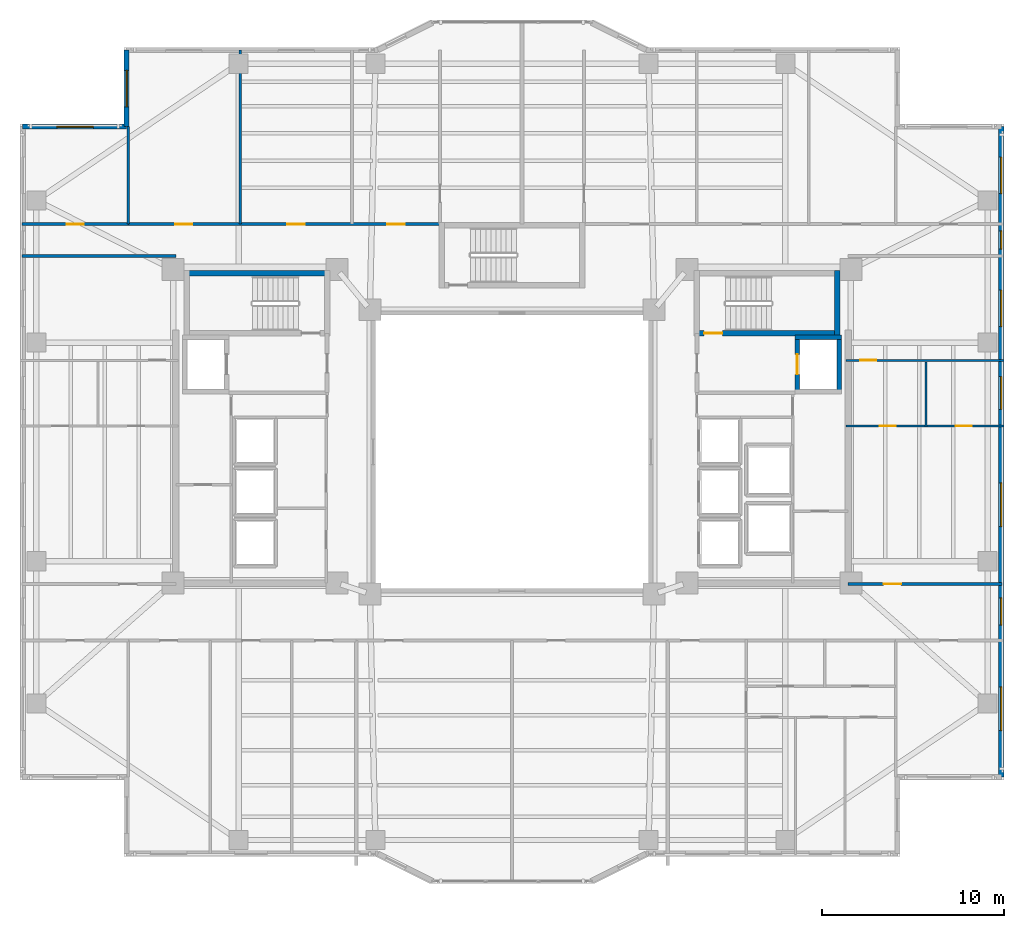
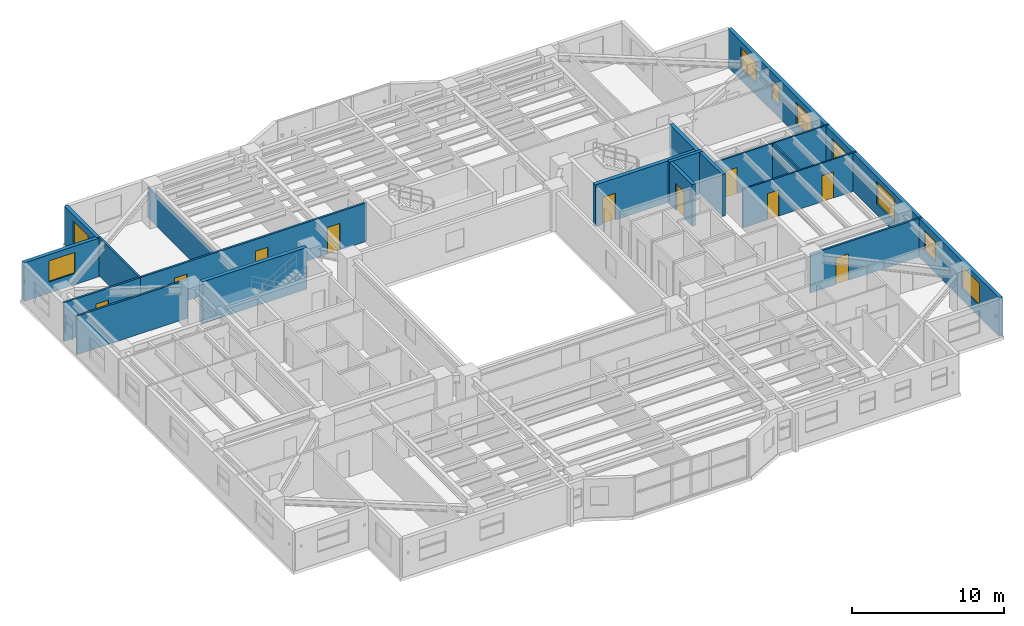
# One storey, part 9 of 18: 18 walls, 10 doors, 9 windows, 19 openings.
"""IFC4 building model written with IfcOpenShell, lengths in metres."""

import ifcopenshell
import ifcopenshell.guid

model = None  # the IFC model being written
_history = None  # IfcOwnerHistory: only IFC2X3 demands one
_inside = {}  # id of a spatial element -> (the spatial element, [elements in it])
_under = {}  # id of a project, library or spatial element -> (it, [spatial elements below it])
_declared = {}  # id of a project -> (the project, [libraries it declares])
_typed = {}  # id of a type object -> (the type object, [elements of that type])
_made_of = {}  # id of a material, layer set ... -> (it, [elements and type objects made of it])


def new_model(schema):
    """Start an empty IFC model of exactly this schema.

    Asked for "IFC4X3", IfcOpenShell would pick the latest addendum, in which some entities
    have other attributes; the version numbers below select the first issue.
    IFC2X3 requires an IfcOwnerHistory on every rooted entity: one is made here for all.
    """
    global model, _history
    if schema == "IFC4X3":
        model = ifcopenshell.file(schema_version=(4, 3, 0, 0))
    else:
        model = ifcopenshell.file(schema=schema)
    _inside.clear()
    _under.clear()
    _declared.clear()
    _typed.clear()
    _made_of.clear()
    _history = None
    if model.schema == "IFC2X3":
        org = make("IfcOrganization", Name="unknown")
        user = make(
            "IfcPersonAndOrganization",
            ThePerson=make("IfcPerson", FamilyName="unknown"),
            TheOrganization=org,
        )
        app = make(
            "IfcApplication",
            ApplicationDeveloper=org,
            Version="unknown",
            ApplicationFullName="unknown",
            ApplicationIdentifier="unknown",
        )
        _history = make(
            "IfcOwnerHistory",
            OwningUser=user,
            OwningApplication=app,
            ChangeAction="ADDED",
            CreationDate=0,
        )
    return model


def make(cls, **values):
    """One entity of the class cls with the attributes given. An attribute that is None is left unset."""
    return model.create_entity(
        cls, **{name: value for name, value in values.items() if value is not None}
    )


def rooted(cls, **values):
    """An entity with a GlobalId (a new one), such as an element, a storey or a relation."""
    return make(cls, GlobalId=ifcopenshell.guid.new(), OwnerHistory=_history, **values)


def si_unit(unit_type, name, prefix=None):
    """IfcSIUnit, for example si_unit("LENGTHUNIT", "METRE", prefix="MILLI")."""
    return make("IfcSIUnit", UnitType=unit_type, Prefix=prefix, Name=name)


def assignment(units):
    """IfcUnitAssignment: the units of a project."""
    return None if units is None else make("IfcUnitAssignment", Units=units)


def point(xyz):
    """IfcCartesianPoint."""
    return None if xyz is None else make("IfcCartesianPoint", Coordinates=xyz)


def direction(xyz):
    """IfcDirection."""
    return None if xyz is None else make("IfcDirection", DirectionRatios=xyz)


def frame(location, z_axis=None, x_axis=None):
    """IfcAxis2Placement3D, a coordinate frame: its origin and axes. An axis left out is left unset."""
    return make(
        "IfcAxis2Placement3D",
        Location=point(location),
        Axis=direction(z_axis),
        RefDirection=direction(x_axis),
    )


def frame_2d(location, x_axis=None):
    """IfcAxis2Placement2D, a coordinate frame in the plane: its origin and x axis."""
    return make(
        "IfcAxis2Placement2D", Location=point(location), RefDirection=direction(x_axis)
    )


def origin():
    """The frame at (0, 0, 0) with its axes left unset."""
    return frame((0.0, 0.0, 0.0))


def place(relative_to, where):
    """IfcLocalPlacement: puts the frame where relative to a parent placement (None: the world)."""
    return make(
        "IfcLocalPlacement", PlacementRelTo=relative_to, RelativePlacement=where
    )


def context(
    kind, dimensions, precision=None, world=None, true_north=None, identifier=None
):
    """IfcGeometricRepresentationContext, for example the 3D "Model" context."""
    return make(
        "IfcGeometricRepresentationContext",
        ContextIdentifier=identifier,
        ContextType=kind,
        CoordinateSpaceDimension=dimensions,
        Precision=precision,
        WorldCoordinateSystem=world,
        TrueNorth=true_north,
    )


def subcontext(parent, identifier, kind, view, scale=None):
    """IfcGeometricRepresentationSubContext, for example "Body" below "Model"."""
    return make(
        "IfcGeometricRepresentationSubContext",
        ContextIdentifier=identifier,
        ContextType=kind,
        ParentContext=parent,
        TargetScale=scale,
        TargetView=view,
    )


def project(units=None, contexts=None):
    """IfcProject with its units and contexts."""
    return rooted(
        "IfcProject",
        Name="project",
        RepresentationContexts=contexts,
        UnitsInContext=assignment(units),
    )


def spatial(cls, under=None, at=None, **own):
    """A site, building, storey or space (cls), placed at a placement, below another one or the project."""
    s = rooted(cls, ObjectPlacement=at, **own)
    if under is not None:
        _under.setdefault(under.id(), (under, []))[1].append(s)
    return s


def profile(cls, at=None, kind="AREA", **sizes):
    """A parametric profile (cls). Its sizes go by their IFC names, for example OverallWidth=200.0."""
    return make(cls, ProfileType=kind, Position=at, **sizes)


def rectangle(**sizes):
    """IfcRectangleProfileDef."""
    return profile("IfcRectangleProfileDef", **sizes)


def extrude(swept, where, along, depth):
    """IfcExtrudedAreaSolid: the profile swept, set in the frame where, extruded along a direction by depth."""
    return make(
        "IfcExtrudedAreaSolid",
        SweptArea=swept,
        Position=where,
        ExtrudedDirection=direction(along),
        Depth=depth,
    )


def shape(context_of_items, identifier, shape_type, items):
    """IfcShapeRepresentation: the items that make up one representation, for example the "Body"."""
    return make(
        "IfcShapeRepresentation",
        ContextOfItems=context_of_items,
        RepresentationIdentifier=identifier,
        RepresentationType=shape_type,
        Items=items,
    )


def material(Name=None, Category=None):
    """IfcMaterial."""
    return make("IfcMaterial", Name=Name, Category=Category)


def layer(
    of_material, thickness, ventilated=None, Name=None, Category=None, Priority=None
):
    """IfcMaterialLayer: one layer of a wall or slab, of a material (None: an air gap)."""
    return make(
        "IfcMaterialLayer",
        Material=of_material,
        LayerThickness=thickness,
        IsVentilated=ventilated,
        Name=Name,
        Category=Category,
        Priority=Priority,
    )


def layer_set(layers, Name=None):
    """IfcMaterialLayerSet."""
    return make("IfcMaterialLayerSet", MaterialLayers=layers, LayerSetName=Name)


def made_of(thing, what):
    """Note that an element or type object is made of a material, layer set ...; save() writes the relation."""
    if what is not None:
        _made_of.setdefault(what.id(), (what, []))[1].append(thing)
    return thing


def type_object(cls, material=None, **own):
    """A type object (cls), such as IfcWallType, which elements share."""
    return made_of(rooted(cls, **own), material)


def element(
    cls,
    number,
    at=None,
    inside=None,
    cuts=None,
    type_object=None,
    material=None,
    context=None,
    identifier="Body",
    shape_type=None,
    held_by="IfcProductDefinitionShape",
    body=None,
    shapes=None,
    **own,
):
    """One element of the class cls, such as IfcWall. Its Tag is "e" and its number.

    at: its placement. inside: the storey or other place that contains it. cuts: it is an
    opening in that element (IfcRelVoidsElement). A single representation is given by context,
    identifier, shape_type and body (its items); several are given by shapes. held_by: the class
    of the entity that holds the representations. save() writes the other relations.
    """
    e = rooted(cls, Tag="e%d" % number, ObjectPlacement=at, **own)
    if body is not None:
        shapes = [shape(context, identifier, shape_type, body)]
    if shapes is not None:
        e.Representation = make(held_by, Representations=shapes)
    if inside is not None:
        _inside.setdefault(inside.id(), (inside, []))[1].append(e)
    if cuts is not None:
        rooted(
            "IfcRelVoidsElement", RelatingBuildingElement=cuts, RelatedOpeningElement=e
        )
    if type_object is not None:
        _typed.setdefault(type_object.id(), (type_object, []))[1].append(e)
    return made_of(e, material)


def fill(opening, filler):
    """IfcRelFillsElement: the door or window that sits in an opening."""
    return rooted(
        "IfcRelFillsElement",
        RelatingOpeningElement=opening,
        RelatedBuildingElement=filler,
    )


def aggregate(whole, parts):
    """IfcRelAggregates: a whole, such as a stair, and the parts it consists of."""
    return rooted("IfcRelAggregates", RelatingObject=whole, RelatedObjects=parts)


def save(model, path):
    """Write the relations noted so far, then the file.

    IfcRelAggregates (storeys below a building ...), IfcRelContainedInSpatialStructure (elements
    in a storey), IfcRelDefinesByType, IfcRelAssociatesMaterial and IfcRelDeclares: one each for
    every whole, place, type object, material and project.
    """
    for whole, parts in _under.values():
        aggregate(whole, parts)
    for where, things in _inside.values():
        rooted(
            "IfcRelContainedInSpatialStructure",
            RelatedElements=things,
            RelatingStructure=where,
        )
    for kind, things in _typed.values():
        rooted("IfcRelDefinesByType", RelatedObjects=things, RelatingType=kind)
    for what, things in _made_of.values():
        rooted("IfcRelAssociatesMaterial", RelatedObjects=things, RelatingMaterial=what)
    for by, libraries in _declared.values():
        rooted("IfcRelDeclares", RelatingContext=by, RelatedDefinitions=libraries)
    model.write(path)


model = new_model("IFC4")

# Units and contexts
model_context = context("Model", 3, precision=1e-05, world=origin(), true_north=direction((0.0, 1.0)))
body_context = subcontext(model_context, "Body", "Model", "MODEL_VIEW")
ifc_project = project(units=[si_unit("LENGTHUNIT", "METRE"), si_unit("AREAUNIT", "SQUARE_METRE"), si_unit("VOLUMEUNIT", "CUBIC_METRE"), si_unit("PLANEANGLEUNIT", "RADIAN"), si_unit("MASSUNIT", "GRAM", prefix="KILO")], contexts=[model_context])

# Site, building, storey
site_placement = place(None, origin())
site = spatial("IfcSite", under=ifc_project, at=site_placement, CompositionType="ELEMENT")
building_placement = place(site_placement, origin())
building = spatial("IfcBuilding", under=site, at=building_placement, Name="Tarnavaz Court Tower", CompositionType="ELEMENT")
storey_placement = place(building_placement, frame((0.0, 0.0, 108.449951171875)))
storey = spatial("IfcBuildingStorey", under=building, at=storey_placement, Name="L29", CompositionType="ELEMENT", Elevation=108.449951171875)

# Wall, opening, door
ifc_material_1 = material(Name="Concrete C60/75", Category="concrete")
ifc_layer_1 = layer(ifc_material_1, 0.25)
ifc_layer_set_1 = layer_set([ifc_layer_1], Name="Concrete C60/75")
wall_type_1 = type_object("IfcWallType", Name="WL-CORE-250-C60", PredefinedType="SHEAR", material=ifc_layer_set_1)
wall_1_placement = place(storey_placement, frame((15.64990234375, 3.175048828125, 0.0), z_axis=(0.0, 0.0, 1.0), x_axis=(0.0, 1.0, 0.0)))
wall_1 = element("IfcWall", 1, at=wall_1_placement, inside=storey, type_object=wall_type_1, Name="L29 Lift FL-E1 Shaft Wall 033", PredefinedType="SHEAR", context=body_context, shape_type="SweptSolid", body=[
    extrude(rectangle(XDim=3.25, YDim=0.25, at=frame_2d((1.625, 0.0))), origin(), (0.0, 0.0, 1.0), 3.35009765625),
])
opening_1_placement = place(wall_1_placement, frame((1.074951171875, 0.0, 0.0)))
opening_1 = element("IfcOpeningElement", 2, at=opening_1_placement, cuts=wall_1, Name="Opening LD1", PredefinedType="OPENING", context=body_context, shape_type="SweptSolid", body=[
    extrude(rectangle(XDim=1.10009765625, YDim=2.14990234375, at=frame_2d((0.550048828125, 1.074951171875))), frame((0.0, 0.135009765625, 0.0), z_axis=(0.0, -1.0, 0.0), x_axis=(1.0, 0.0, 0.0)), (0.0, 0.0, 1.0), 0.27001953125),
])
ifc_material_2 = material(Name="Stainless Steel", Category="steel")
door_type_1 = type_object("IfcDoorType", Name="DR-LD-1100", OperationType="NOTDEFINED", PredefinedType="DOOR", material=ifc_material_2)
door_1_placement = place(opening_1_placement, origin())
door_1 = element("IfcDoor", 3, at=door_1_placement, inside=storey, type_object=door_type_1, Name="L29 Lift Landing Door LD-FL-E1", OperationType="SLIDING_TO_LEFT", OverallHeight=2.14990234375, OverallWidth=1.10009765625, PredefinedType="DOOR", context=body_context, shape_type="SweptSolid", body=[
    extrude(rectangle(XDim=1.10009765625, YDim=2.14990234375, at=frame_2d((0.550048828125, 1.074951171875))), frame((0.0, 0.02490234375, 0.0), z_axis=(0.0, -1.0, 0.0), x_axis=(1.0, 0.0, 0.0)), (0.0, 0.0, 1.0), 0.050048828125),
])
fill(opening_1, door_1)

# Walls
wall_2_placement = place(storey_placement, frame((17.949951171875, 3.175048828125, 0.0), z_axis=(0.0, 0.0, 1.0), x_axis=(0.0, 1.0, 0.0)))
element("IfcWall", 4, at=wall_2_placement, inside=storey, type_object=wall_type_1, Name="L29 Lift FL-E1 Shaft Wall 034", PredefinedType="SHEAR", context=body_context, shape_type="SweptSolid", body=[
    extrude(rectangle(XDim=3.25, YDim=0.25, at=frame_2d((1.625, 0.0))), origin(), (0.0, 0.0, 1.0), 3.35009765625),
])
wall_3_placement = place(storey_placement, frame((15.52490234375, 6.300048828125, 0.0), z_axis=(0.0, 0.0, 1.0), x_axis=(1.0, 0.0, 0.0)))
element("IfcWall", 5, at=wall_3_placement, inside=storey, type_object=wall_type_1, Name="L29 Lift FL-E1 Shaft Wall 036", PredefinedType="SHEAR", context=body_context, shape_type="SweptSolid", body=[
    extrude(rectangle(XDim=2.550048828125, YDim=0.25, at=frame_2d((1.27490234375, 0.0))), origin(), (0.0, 0.0, 1.0), 3.35009765625),
])
ifc_layer_2 = layer(ifc_material_1, 0.300048828125)
ifc_layer_set_2 = layer_set([ifc_layer_2], Name="Concrete C60/75")
wall_type_2 = type_object("IfcWallType", Name="WL-CORE-300-C60", PredefinedType="SHEAR", material=ifc_layer_set_2)
wall_4_placement = place(storey_placement, frame((-18.0, 9.7900390625, 0.0), z_axis=(0.0, 0.0, 1.0), x_axis=(1.0, 0.0, 0.0)))
element("IfcWall", 6, at=wall_4_placement, inside=storey, type_object=wall_type_2, Name="L29 West Stair Core Wall 001", PredefinedType="SHEAR", context=body_context, shape_type="SweptSolid", body=[
    extrude(rectangle(XDim=8.0, YDim=0.300048828125, at=frame_2d((4.0, 0.0))), origin(), (0.0, 0.0, 1.0), 3.35009765625),
])

# Wall, opening, door
wall_5_placement = place(storey_placement, frame((10.0, 6.5, 0.0), z_axis=(0.0, 0.0, 1.0), x_axis=(1.0, 0.0, 0.0)))
wall_5 = element("IfcWall", 7, at=wall_5_placement, inside=storey, type_object=wall_type_2, Name="L29 East Stair Core Wall 006", PredefinedType="SHEAR", context=body_context, shape_type="SweptSolid", body=[
    extrude(rectangle(XDim=8.0, YDim=0.300048828125, at=frame_2d((4.0, 0.0))), origin(), (0.0, 0.0, 1.0), 3.35009765625),
])
opening_2_placement = place(wall_5_placement, frame((0.550048828125, 0.0, 0.0)))
opening_2 = element("IfcOpeningElement", 8, at=opening_2_placement, cuts=wall_5, Name="Opening D01", PredefinedType="OPENING", context=body_context, shape_type="SweptSolid", body=[
    extrude(rectangle(XDim=1.0, YDim=2.14990234375, at=frame_2d((0.5, 1.074951171875))), frame((0.0, 0.159912109375, 0.0), z_axis=(0.0, -1.0, 0.0), x_axis=(1.0, 0.0, 0.0)), (0.0, 0.0, 1.0), 0.320068359375),
])
ifc_material_3 = material(Name="Fire-Rated Hardwood Timber Core", Category="wood")
door_type_2 = type_object("IfcDoorType", Name="DR-FD90-1000", OperationType="NOTDEFINED", PredefinedType="DOOR", material=ifc_material_3)
door_2_placement = place(opening_2_placement, origin())
door_2 = element("IfcDoor", 9, at=door_2_placement, inside=storey, type_object=door_type_2, Name="L29 Stair ST-E1 Exit Door", OperationType="SINGLE_SWING_RIGHT", OverallHeight=2.14990234375, OverallWidth=1.0, PredefinedType="DOOR", context=body_context, shape_type="SweptSolid", body=[
    extrude(rectangle(XDim=1.0, YDim=2.14990234375, at=frame_2d((0.5, 1.074951171875))), frame((0.0, 0.02490234375, 0.0), z_axis=(0.0, -1.0, 0.0), x_axis=(1.0, 0.0, 0.0)), (0.0, 0.0, 1.0), 0.050048828125),
])
fill(opening_2, door_2)

# Wall
wall_6_placement = place(storey_placement, frame((17.85009765625, 6.35009765625, 0.0), z_axis=(0.0, 0.0, 1.0), x_axis=(0.0, 1.0, 0.0)))
element("IfcWall", 10, at=wall_6_placement, inside=storey, type_object=wall_type_2, Name="L29 East Stair Core Wall 008", PredefinedType="SHEAR", context=body_context, shape_type="SweptSolid", body=[
    extrude(rectangle(XDim=3.58984375, YDim=0.300048828125, at=frame_2d((1.794921875, 0.0))), origin(), (0.0, 0.0, 1.0), 3.35009765625),
])

# Wall, opening, window
ifc_material_4 = material(Name="Precast Concrete C40/50", Category="concrete")
ifc_layer_3 = layer(ifc_material_4, 0.280029296875)
ifc_layer_set_3 = layer_set([ifc_layer_3], Name="Precast Concrete C40/50")
wall_type_3 = type_object("IfcWallType", Name="WL-EXT-280", PredefinedType="SOLIDWALL", material=ifc_layer_set_3)
wall_7_placement = place(storey_placement, frame((-26.85009765625, 17.85009765625, 0.0), z_axis=(0.0, 0.0, 1.0), x_axis=(1.0, 0.0, 0.0)))
wall_7 = element("IfcWall", 11, at=wall_7_placement, inside=storey, type_object=wall_type_3, Name="L29 Exterior Terracotta Facade Wall 03", PredefinedType="SOLIDWALL", context=body_context, shape_type="SweptSolid", body=[
    extrude(rectangle(XDim=5.7001953125, YDim=0.280029296875, at=frame_2d((2.85009765625, 0.0))), origin(), (0.0, 0.0, 1.0), 3.10009765625),
])
opening_3_placement = place(wall_7_placement, frame((1.875, 0.0, 0.89990234375)))
opening_3 = element("IfcOpeningElement", 12, at=opening_3_placement, cuts=wall_7, Name="Opening W08", PredefinedType="OPENING", context=body_context, shape_type="SweptSolid", body=[
    extrude(rectangle(XDim=2.0, YDim=1.699951171875, at=frame_2d((1.0, 0.85009765625))), frame((0.0, 0.14990234375, 0.0), z_axis=(0.0, -1.0, 0.0), x_axis=(1.0, 0.0, 0.0)), (0.0, 0.0, 1.0), 0.300048828125),
])
ifc_material_5 = material(Name="Double-Glazed Solar Low-E Glass", Category="glass")
window_type_1 = type_object("IfcWindowType", Name="WN-APT-2000", PartitioningType="DOUBLE_PANEL_VERTICAL", PredefinedType="WINDOW", material=ifc_material_5)
window_1_placement = place(opening_3_placement, origin())
window_1 = element("IfcWindow", 13, at=window_1_placement, inside=storey, type_object=window_type_1, Name="L29 North-West Corner Sunroom Study Window", OverallHeight=1.699951171875, OverallWidth=2.0, PartitioningType="SINGLE_PANEL", PredefinedType="WINDOW", context=body_context, shape_type="SweptSolid", body=[
    extrude(rectangle(XDim=2.0, YDim=1.699951171875, at=frame_2d((1.0, 0.85009765625))), frame((0.0, 0.030029296875, 0.0), z_axis=(0.0, -1.0, 0.0), x_axis=(1.0, 0.0, 0.0)), (0.0, 0.0, 1.0), 0.06005859375),
])
fill(opening_3, window_1)

wall_8_placement = place(storey_placement, frame((-21.14990234375, 17.85009765625, 0.0), z_axis=(0.0, 0.0, 1.0), x_axis=(0.0, 1.0, 0.0)))
wall_8 = element("IfcWall", 14, at=wall_8_placement, inside=storey, type_object=wall_type_3, Name="L29 Exterior Terracotta Facade Wall 04", PredefinedType="SOLIDWALL", context=body_context, shape_type="SweptSolid", body=[
    extrude(rectangle(XDim=4.199951171875, YDim=0.280029296875, at=frame_2d((2.10009765625, 0.0))), origin(), (0.0, 0.0, 1.0), 3.10009765625),
])
opening_4_placement = place(wall_8_placement, frame((1.082275390625, 0.0, 0.89990234375)))
opening_4 = element("IfcOpeningElement", 15, at=opening_4_placement, cuts=wall_8, Name="Opening W08", PredefinedType="OPENING", context=body_context, shape_type="SweptSolid", body=[
    extrude(rectangle(XDim=2.0, YDim=1.699951171875, at=frame_2d((1.0, 0.85009765625))), frame((0.0, 0.14990234375, 0.0), z_axis=(0.0, -1.0, 0.0), x_axis=(1.0, 0.0, 0.0)), (0.0, 0.0, 1.0), 0.300048828125),
])
window_2_placement = place(opening_4_placement, origin())
window_2 = element("IfcWindow", 16, at=window_2_placement, inside=storey, type_object=window_type_1, Name="L29 Resident Co-Working Study Room Window", OverallHeight=1.699951171875, OverallWidth=2.0, PartitioningType="SINGLE_PANEL", PredefinedType="WINDOW", context=body_context, shape_type="SweptSolid", body=[
    extrude(rectangle(XDim=2.0, YDim=1.699951171875, at=frame_2d((1.0, 0.85009765625))), frame((0.0, 0.030029296875, 0.0), z_axis=(0.0, -1.0, 0.0), x_axis=(1.0, 0.0, 0.0)), (0.0, 0.0, 1.0), 0.06005859375),
])
fill(opening_4, window_2)

# Wall, openings, windows
wall_9_placement = place(storey_placement, frame((26.85009765625, 17.85009765625, 0.0), z_axis=(0.0, 0.0, 1.0), x_axis=(0.0, -1.0, 0.0)))
wall_9 = element("IfcWall", 17, at=wall_9_placement, inside=storey, type_object=wall_type_3, Name="L29 Exterior Terracotta Facade Wall 12", PredefinedType="SOLIDWALL", context=body_context, shape_type="SweptSolid", body=[
    extrude(rectangle(XDim=35.7001953125, YDim=0.280029296875, at=frame_2d((17.85009765625, 0.0))), origin(), (0.0, 0.0, 1.0), 3.10009765625),
])
opening_5_placement = place(wall_9_placement, frame((1.675048828125, 0.0, 0.89990234375)))
opening_5 = element("IfcOpeningElement", 18, at=opening_5_placement, cuts=wall_9, Name="Opening W08", PredefinedType="OPENING", context=body_context, shape_type="SweptSolid", body=[
    extrude(rectangle(XDim=2.0, YDim=1.699951171875, at=frame_2d((1.0, 0.85009765625))), frame((0.0, 0.14990234375, 0.0), z_axis=(0.0, -1.0, 0.0), x_axis=(1.0, 0.0, 0.0)), (0.0, 0.0, 1.0), 0.300048828125),
])
opening_6_placement = place(wall_9_placement, frame((5.72509765625, 0.0, 0.949951171875)))
opening_6 = element("IfcOpeningElement", 19, at=opening_6_placement, cuts=wall_9, Name="Opening W14", PredefinedType="OPENING", context=body_context, shape_type="SweptSolid", body=[
    extrude(rectangle(XDim=1.0, YDim=1.5, at=frame_2d((0.5, 0.75))), frame((0.0, 0.14990234375, 0.0), z_axis=(0.0, -1.0, 0.0), x_axis=(1.0, 0.0, 0.0)), (0.0, 0.0, 1.0), 0.300048828125),
])
opening_7_placement = place(wall_9_placement, frame((8.97509765625, 0.0, 0.89990234375)))
opening_7 = element("IfcOpeningElement", 20, at=opening_7_placement, cuts=wall_9, Name="Opening W08", PredefinedType="OPENING", context=body_context, shape_type="SweptSolid", body=[
    extrude(rectangle(XDim=2.0, YDim=1.699951171875, at=frame_2d((1.0, 0.85009765625))), frame((0.0, 0.14990234375, 0.0), z_axis=(0.0, -1.0, 0.0), x_axis=(1.0, 0.0, 0.0)), (0.0, 0.0, 1.0), 0.300048828125),
])
opening_8_placement = place(wall_9_placement, frame((13.72509765625, 0.0, 0.89990234375)))
opening_8 = element("IfcOpeningElement", 21, at=opening_8_placement, cuts=wall_9, Name="Opening W01", PredefinedType="OPENING", context=body_context, shape_type="SweptSolid", body=[
    extrude(rectangle(XDim=1.800048828125, YDim=1.64990234375, at=frame_2d((0.89990234375, 0.824951171875))), frame((0.0, 0.14990234375, 0.0), z_axis=(0.0, -1.0, 0.0), x_axis=(1.0, 0.0, 0.0)), (0.0, 0.0, 1.0), 0.300048828125),
])
opening_9_placement = place(wall_9_placement, frame((19.550048828125, 0.0, 0.89990234375)))
opening_9 = element("IfcOpeningElement", 22, at=opening_9_placement, cuts=wall_9, Name="Opening W06", PredefinedType="OPENING", context=body_context, shape_type="SweptSolid", body=[
    extrude(rectangle(XDim=2.39990234375, YDim=1.800048828125, at=frame_2d((1.199951171875, 0.89990234375))), frame((0.0, 0.14990234375, 0.0), z_axis=(0.0, -1.0, 0.0), x_axis=(1.0, 0.0, 0.0)), (0.0, 0.0, 1.0), 0.300048828125),
])
opening_10_placement = place(wall_9_placement, frame((25.857421875, 0.0, 0.89990234375)))
opening_10 = element("IfcOpeningElement", 23, at=opening_10_placement, cuts=wall_9, Name="Opening W03", PredefinedType="OPENING", context=body_context, shape_type="SweptSolid", body=[
    extrude(rectangle(XDim=1.5, YDim=1.64990234375, at=frame_2d((0.75, 0.824951171875))), frame((0.0, 0.14990234375, 0.0), z_axis=(0.0, -1.0, 0.0), x_axis=(1.0, 0.0, 0.0)), (0.0, 0.0, 1.0), 0.300048828125),
])
opening_11_placement = place(wall_9_placement, frame((30.75, 0.0, 0.89990234375)))
opening_11 = element("IfcOpeningElement", 24, at=opening_11_placement, cuts=wall_9, Name="Opening W06", PredefinedType="OPENING", context=body_context, shape_type="SweptSolid", body=[
    extrude(rectangle(XDim=2.39990234375, YDim=1.800048828125, at=frame_2d((1.199951171875, 0.89990234375))), frame((0.0, 0.14990234375, 0.0), z_axis=(0.0, -1.0, 0.0), x_axis=(1.0, 0.0, 0.0)), (0.0, 0.0, 1.0), 0.300048828125),
])
window_type_2 = type_object("IfcWindowType", Name="WN-APT-1000", PartitioningType="SINGLE_PANEL", PredefinedType="WINDOW", material=ifc_material_5)
window_3_placement = place(opening_6_placement, origin())
window_3 = element("IfcWindow", 25, at=window_3_placement, inside=storey, type_object=window_type_2, Name="L29 North-East Corner Corridor Window", OverallHeight=1.5, OverallWidth=1.0, PartitioningType="SINGLE_PANEL", PredefinedType="WINDOW", context=body_context, shape_type="SweptSolid", body=[
    extrude(rectangle(XDim=1.0, YDim=1.5, at=frame_2d((0.5, 0.75))), frame((0.0, 0.030029296875, 0.0), z_axis=(0.0, -1.0, 0.0), x_axis=(1.0, 0.0, 0.0)), (0.0, 0.0, 1.0), 0.06005859375),
])
fill(opening_6, window_3)
window_type_3 = type_object("IfcWindowType", Name="WN-APT-1500", PartitioningType="DOUBLE_PANEL_VERTICAL", PredefinedType="WINDOW", material=ifc_material_5)
window_4_placement = place(opening_10_placement, origin())
window_4 = element("IfcWindow", 26, at=window_4_placement, inside=storey, type_object=window_type_3, Name="L29 South-East Corner Corridor Window", OverallHeight=1.64990234375, OverallWidth=1.5, PartitioningType="SINGLE_PANEL", PredefinedType="WINDOW", context=body_context, shape_type="SweptSolid", body=[
    extrude(rectangle(XDim=1.5, YDim=1.64990234375, at=frame_2d((0.75, 0.824951171875))), frame((0.0, 0.030029296875, 0.0), z_axis=(0.0, -1.0, 0.0), x_axis=(1.0, 0.0, 0.0)), (0.0, 0.0, 1.0), 0.06005859375),
])
fill(opening_10, window_4)
window_type_4 = type_object("IfcWindowType", Name="WN-APT-1800", PartitioningType="DOUBLE_PANEL_VERTICAL", PredefinedType="WINDOW", material=ifc_material_5)
window_5_placement = place(opening_8_placement, origin())
window_5 = element("IfcWindow", 27, at=window_5_placement, inside=storey, type_object=window_type_4, Name="L29 Flat 03 Bathroom Window", OverallHeight=1.64990234375, OverallWidth=1.800048828125, PartitioningType="SINGLE_PANEL", PredefinedType="WINDOW", context=body_context, shape_type="SweptSolid", body=[
    extrude(rectangle(XDim=1.800048828125, YDim=1.64990234375, at=frame_2d((0.89990234375, 0.824951171875))), frame((0.0, 0.030029296875, 0.0), z_axis=(0.0, -1.0, 0.0), x_axis=(1.0, 0.0, 0.0)), (0.0, 0.0, 1.0), 0.06005859375),
])
fill(opening_8, window_5)
window_6_placement = place(opening_5_placement, origin())
window_6 = element("IfcWindow", 28, at=window_6_placement, inside=storey, type_object=window_type_1, Name="L29 North-East Corner Sunroom Study Window", OverallHeight=1.699951171875, OverallWidth=2.0, PartitioningType="SINGLE_PANEL", PredefinedType="WINDOW", context=body_context, shape_type="SweptSolid", body=[
    extrude(rectangle(XDim=2.0, YDim=1.699951171875, at=frame_2d((1.0, 0.85009765625))), frame((0.0, 0.030029296875, 0.0), z_axis=(0.0, -1.0, 0.0), x_axis=(1.0, 0.0, 0.0)), (0.0, 0.0, 1.0), 0.06005859375),
])
fill(opening_5, window_6)
window_7_placement = place(opening_7_placement, origin())
window_7 = element("IfcWindow", 29, at=window_7_placement, inside=storey, type_object=window_type_1, Name="L29 Flat 03 Study Room Window", OverallHeight=1.699951171875, OverallWidth=2.0, PartitioningType="SINGLE_PANEL", PredefinedType="WINDOW", context=body_context, shape_type="SweptSolid", body=[
    extrude(rectangle(XDim=2.0, YDim=1.699951171875, at=frame_2d((1.0, 0.85009765625))), frame((0.0, 0.030029296875, 0.0), z_axis=(0.0, -1.0, 0.0), x_axis=(1.0, 0.0, 0.0)), (0.0, 0.0, 1.0), 0.06005859375),
])
fill(opening_7, window_7)
window_type_5 = type_object("IfcWindowType", Name="WN-APT-2400", PartitioningType="TRIPLE_PANEL_VERTICAL", PredefinedType="WINDOW", material=ifc_material_5)
window_8_placement = place(opening_9_placement, origin())
window_8 = element("IfcWindow", 30, at=window_8_placement, inside=storey, type_object=window_type_5, Name="L29 Flat 03 Studio Living and Sleeping Room Window", OverallHeight=1.800048828125, OverallWidth=2.39990234375, PartitioningType="SINGLE_PANEL", PredefinedType="WINDOW", context=body_context, shape_type="SweptSolid", body=[
    extrude(rectangle(XDim=2.39990234375, YDim=1.800048828125, at=frame_2d((1.199951171875, 0.89990234375))), frame((0.0, 0.030029296875, 0.0), z_axis=(0.0, -1.0, 0.0), x_axis=(1.0, 0.0, 0.0)), (0.0, 0.0, 1.0), 0.06005859375),
])
fill(opening_9, window_8)
window_9_placement = place(opening_11_placement, origin())
window_9 = element("IfcWindow", 31, at=window_9_placement, inside=storey, type_object=window_type_5, Name="L29 South-East Corner Reading Room Window", OverallHeight=1.800048828125, OverallWidth=2.39990234375, PartitioningType="SINGLE_PANEL", PredefinedType="WINDOW", context=body_context, shape_type="SweptSolid", body=[
    extrude(rectangle(XDim=2.39990234375, YDim=1.800048828125, at=frame_2d((1.199951171875, 0.89990234375))), frame((0.0, 0.030029296875, 0.0), z_axis=(0.0, -1.0, 0.0), x_axis=(1.0, 0.0, 0.0)), (0.0, 0.0, 1.0), 0.06005859375),
])
fill(opening_11, window_9)

# Wall, openings, doors
ifc_material_6 = material(Name="Gypsum Fire-Board on Acoustic Metal Stud", Category="masonry")
ifc_layer_4 = layer(ifc_material_6, 0.14990234375)
ifc_layer_set_4 = layer_set([ifc_layer_4], Name="Gypsum Fire-Board on Acoustic Metal Stud")
wall_type_4 = type_object("IfcWallType", Name="WL-FIRE-150", PredefinedType="PARTITIONING", material=ifc_layer_set_4)
wall_10_placement = place(storey_placement, frame((-21.050048828125, 12.5, 0.0), z_axis=(0.0, 0.0, 1.0), x_axis=(1.0, 0.0, 0.0)))
wall_10 = element("IfcWall", 32, at=wall_10_placement, inside=storey, type_object=wall_type_4, Name="L29 NW Wing Corridor Wall 071", PredefinedType="PARTITIONING", context=body_context, shape_type="SweptSolid", body=[
    extrude(rectangle(XDim=17.199951171875, YDim=0.14990234375, at=frame_2d((8.60009765625, 0.0))), origin(), (0.0, 0.0, 1.0), 3.10009765625),
])
opening_12_placement = place(wall_10_placement, frame((2.56201171875, 0.0, 0.0)))
opening_12 = element("IfcOpeningElement", 33, at=opening_12_placement, cuts=wall_10, Name="Opening D13", PredefinedType="OPENING", context=body_context, shape_type="SweptSolid", body=[
    extrude(rectangle(XDim=0.949951171875, YDim=2.14990234375, at=frame_2d((0.47509765625, 1.074951171875))), frame((0.0, 0.0849609375, 0.0), z_axis=(0.0, -1.0, 0.0), x_axis=(1.0, 0.0, 0.0)), (0.0, 0.0, 1.0), 0.169921875),
])
opening_13_placement = place(wall_10_placement, frame((8.72607421875, 0.0, 0.0)))
opening_13 = element("IfcOpeningElement", 34, at=opening_13_placement, cuts=wall_10, Name="Opening D13", PredefinedType="OPENING", context=body_context, shape_type="SweptSolid", body=[
    extrude(rectangle(XDim=0.949951171875, YDim=2.14990234375, at=frame_2d((0.47509765625, 1.074951171875))), frame((0.0, 0.0849609375, 0.0), z_axis=(0.0, -1.0, 0.0), x_axis=(1.0, 0.0, 0.0)), (0.0, 0.0, 1.0), 0.169921875),
])
opening_14_placement = place(wall_10_placement, frame((14.2099609375, 0.0, 0.0)))
opening_14 = element("IfcOpeningElement", 35, at=opening_14_placement, cuts=wall_10, Name="Opening D13", PredefinedType="OPENING", context=body_context, shape_type="SweptSolid", body=[
    extrude(rectangle(XDim=0.949951171875, YDim=2.14990234375, at=frame_2d((0.47509765625, 1.074951171875))), frame((0.0, 0.0849609375, 0.0), z_axis=(0.0, -1.0, 0.0), x_axis=(1.0, 0.0, 0.0)), (0.0, 0.0, 1.0), 0.169921875),
])
ifc_material_7 = material(Name="Engineered Oak Timber", Category="wood")
door_type_3 = type_object("IfcDoorType", Name="DR-INT-950", OperationType="NOTDEFINED", PredefinedType="DOOR", material=ifc_material_7)
door_3_placement = place(opening_12_placement, origin())
door_3 = element("IfcDoor", 36, at=door_3_placement, inside=storey, type_object=door_type_3, Name="L29 Resident Co-Working Study Room Door", OperationType="SINGLE_SWING_LEFT", OverallHeight=2.14990234375, OverallWidth=0.949951171875, PredefinedType="DOOR", context=body_context, shape_type="SweptSolid", body=[
    extrude(rectangle(XDim=0.949951171875, YDim=2.14990234375, at=frame_2d((0.47509765625, 1.074951171875))), frame((0.0, 0.02490234375, 0.0), z_axis=(0.0, -1.0, 0.0), x_axis=(1.0, 0.0, 0.0)), (0.0, 0.0, 1.0), 0.050048828125),
])
fill(opening_12, door_3)
door_4_placement = place(opening_13_placement, origin())
door_4 = element("IfcDoor", 37, at=door_4_placement, inside=storey, type_object=door_type_3, Name="L29 Quiet Reading Library Room Door", OperationType="SINGLE_SWING_RIGHT", OverallHeight=2.14990234375, OverallWidth=0.949951171875, PredefinedType="DOOR", context=body_context, shape_type="SweptSolid", body=[
    extrude(rectangle(XDim=0.949951171875, YDim=2.14990234375, at=frame_2d((0.47509765625, 1.074951171875))), frame((0.0, 0.02490234375, 0.0), z_axis=(0.0, -1.0, 0.0), x_axis=(1.0, 0.0, 0.0)), (0.0, 0.0, 1.0), 0.050048828125),
])
fill(opening_13, door_4)
door_5_placement = place(opening_14_placement, origin())
door_5 = element("IfcDoor", 38, at=door_5_placement, inside=storey, type_object=door_type_3, Name="L29 Resident Focus Seminar Room Door", OperationType="SINGLE_SWING_LEFT", OverallHeight=2.14990234375, OverallWidth=0.949951171875, PredefinedType="DOOR", context=body_context, shape_type="SweptSolid", body=[
    extrude(rectangle(XDim=0.949951171875, YDim=2.14990234375, at=frame_2d((0.47509765625, 1.074951171875))), frame((0.0, 0.02490234375, 0.0), z_axis=(0.0, -1.0, 0.0), x_axis=(1.0, 0.0, 0.0)), (0.0, 0.0, 1.0), 0.050048828125),
])
fill(opening_14, door_5)

# Wall
wall_11_placement = place(storey_placement, frame((-26.8798828125, 10.75, 0.0), z_axis=(0.0, 0.0, 1.0), x_axis=(1.0, 0.0, 0.0)))
element("IfcWall", 39, at=wall_11_placement, inside=storey, type_object=wall_type_4, Name="L29 Interior Partition 096", PredefinedType="PARTITIONING", context=body_context, shape_type="SweptSolid", body=[
    extrude(rectangle(XDim=8.429931640625, YDim=0.14990234375, at=frame_2d((4.21484375, 0.0))), origin(), (0.0, 0.0, 1.0), 3.10009765625),
])

# Wall, opening, door
wall_12_placement = place(storey_placement, frame((18.449951171875, -7.25, 0.0), z_axis=(0.0, 0.0, 1.0), x_axis=(1.0, 0.0, 0.0)))
wall_12 = element("IfcWall", 40, at=wall_12_placement, inside=storey, type_object=wall_type_4, Name="L29 Interior Partition 097", PredefinedType="PARTITIONING", context=body_context, shape_type="SweptSolid", body=[
    extrude(rectangle(XDim=8.429931640625, YDim=0.14990234375, at=frame_2d((4.21484375, 0.0))), origin(), (0.0, 0.0, 1.0), 3.10009765625),
])
opening_15_placement = place(wall_12_placement, frame((1.949951171875, 0.0, 0.0)))
opening_15 = element("IfcOpeningElement", 41, at=opening_15_placement, cuts=wall_12, Name="Opening D06", PredefinedType="OPENING", context=body_context, shape_type="SweptSolid", body=[
    extrude(rectangle(XDim=0.9599609375, YDim=2.14990234375, at=frame_2d((0.47998046875, 1.074951171875))), frame((0.0, 0.0849609375, 0.0), z_axis=(0.0, -1.0, 0.0), x_axis=(1.0, 0.0, 0.0)), (0.0, 0.0, 1.0), 0.169921875),
])
door_type_4 = type_object("IfcDoorType", Name="DR-FD60-950", OperationType="NOTDEFINED", PredefinedType="DOOR", material=ifc_material_3)
door_6_placement = place(opening_15_placement, origin())
door_6 = element("IfcDoor", 42, at=door_6_placement, inside=storey, type_object=door_type_4, Name="L29 Flat 03 Entrance Door", OperationType="SINGLE_SWING_LEFT", OverallHeight=2.14990234375, OverallWidth=0.9599609375, PredefinedType="DOOR", context=body_context, shape_type="SweptSolid", body=[
    extrude(rectangle(XDim=0.9599609375, YDim=2.14990234375, at=frame_2d((0.47998046875, 1.074951171875))), frame((0.0, 0.02490234375, 0.0), z_axis=(0.0, -1.0, 0.0), x_axis=(1.0, 0.0, 0.0)), (0.0, 0.0, 1.0), 0.050048828125),
])
fill(opening_15, door_6)

wall_13_placement = place(storey_placement, frame((-26.8798828125, 12.5, 0.0), z_axis=(0.0, 0.0, 1.0), x_axis=(1.0, 0.0, 0.0)))
wall_13 = element("IfcWall", 43, at=wall_13_placement, inside=storey, type_object=wall_type_4, Name="L29 Interior Partition 103", PredefinedType="PARTITIONING", context=body_context, shape_type="SweptSolid", body=[
    extrude(rectangle(XDim=5.829833984375, YDim=0.14990234375, at=frame_2d((2.9150390625, 0.0))), origin(), (0.0, 0.0, 1.0), 3.10009765625),
])
opening_16_placement = place(wall_13_placement, frame((2.43994140625, 0.0, 0.0)))
opening_16 = element("IfcOpeningElement", 44, at=opening_16_placement, cuts=wall_13, Name="Opening D13", PredefinedType="OPENING", context=body_context, shape_type="SweptSolid", body=[
    extrude(rectangle(XDim=0.949951171875, YDim=2.14990234375, at=frame_2d((0.47509765625, 1.074951171875))), frame((0.0, 0.0849609375, 0.0), z_axis=(0.0, -1.0, 0.0), x_axis=(1.0, 0.0, 0.0)), (0.0, 0.0, 1.0), 0.169921875),
])
door_7_placement = place(opening_16_placement, origin())
door_7 = element("IfcDoor", 45, at=door_7_placement, inside=storey, type_object=door_type_3, Name="L29 NW Sunroom Door", OperationType="SINGLE_SWING_LEFT", OverallHeight=2.14990234375, OverallWidth=0.949951171875, PredefinedType="DOOR", context=body_context, shape_type="SweptSolid", body=[
    extrude(rectangle(XDim=0.949951171875, YDim=2.14990234375, at=frame_2d((0.47509765625, 1.074951171875))), frame((0.0, 0.02490234375, 0.0), z_axis=(0.0, -1.0, 0.0), x_axis=(1.0, 0.0, 0.0)), (0.0, 0.0, 1.0), 0.050048828125),
])
fill(opening_16, door_7)

# Wall, openings, doors
ifc_material_8 = material(Name="Moisture-Resistant Gypsum Board Partition", Category="masonry")
ifc_layer_5 = layer(ifc_material_8, 0.1201171875)
ifc_layer_set_5 = layer_set([ifc_layer_5], Name="Moisture-Resistant Gypsum Board Partition")
wall_type_5 = type_object("IfcWallType", Name="WL-PART-120", PredefinedType="PARTITIONING", material=ifc_layer_set_5)
wall_14_placement = place(storey_placement, frame((18.330078125, 1.419921875, 0.0), z_axis=(0.0, 0.0, 1.0), x_axis=(1.0, 0.0, 0.0)))
wall_14 = element("IfcWall", 46, at=wall_14_placement, inside=storey, type_object=wall_type_5, Name="L29 Interior Partition 110", PredefinedType="PARTITIONING", context=body_context, shape_type="SweptSolid", body=[
    extrude(rectangle(XDim=8.669921875, YDim=0.1201171875, at=frame_2d((4.3349609375, 0.0))), origin(), (0.0, 0.0, 1.0), 3.10009765625),
])
opening_17_placement = place(wall_14_placement, frame((1.863037109375, 0.0, 0.0)))
opening_17 = element("IfcOpeningElement", 47, at=opening_17_placement, cuts=wall_14, Name="Opening D14", PredefinedType="OPENING", context=body_context, shape_type="SweptSolid", body=[
    extrude(rectangle(XDim=0.8798828125, YDim=2.10009765625, at=frame_2d((0.43994140625, 1.050048828125))), frame((0.0, 0.070068359375, 0.0), z_axis=(0.0, -1.0, 0.0), x_axis=(1.0, 0.0, 0.0)), (0.0, 0.0, 1.0), 0.14013671875),
])
opening_18_placement = place(wall_14_placement, frame((6.028076171875, 0.0, 0.0)))
opening_18 = element("IfcOpeningElement", 48, at=opening_18_placement, cuts=wall_14, Name="Opening D14", PredefinedType="OPENING", context=body_context, shape_type="SweptSolid", body=[
    extrude(rectangle(XDim=0.8798828125, YDim=2.10009765625, at=frame_2d((0.43994140625, 1.050048828125))), frame((0.0, 0.070068359375, 0.0), z_axis=(0.0, -1.0, 0.0), x_axis=(1.0, 0.0, 0.0)), (0.0, 0.0, 1.0), 0.14013671875),
])
door_type_5 = type_object("IfcDoorType", Name="DR-INT-900", OperationType="NOTDEFINED", PredefinedType="DOOR", material=ifc_material_7)
door_8_placement = place(opening_17_placement, origin())
door_8 = element("IfcDoor", 49, at=door_8_placement, inside=storey, type_object=door_type_5, Name="L29 Flat 03 Kitchen Door", OperationType="SINGLE_SWING_RIGHT", OverallHeight=2.10009765625, OverallWidth=0.8798828125, PredefinedType="DOOR", context=body_context, shape_type="SweptSolid", body=[
    extrude(rectangle(XDim=0.8798828125, YDim=2.10009765625, at=frame_2d((0.43994140625, 1.050048828125))), frame((0.0, 0.02490234375, 0.0), z_axis=(0.0, -1.0, 0.0), x_axis=(1.0, 0.0, 0.0)), (0.0, 0.0, 1.0), 0.050048828125),
])
fill(opening_17, door_8)
door_9_placement = place(opening_18_placement, origin())
door_9 = element("IfcDoor", 50, at=door_9_placement, inside=storey, type_object=door_type_5, Name="L29 Flat 03 Bathroom Door", OperationType="SINGLE_SWING_LEFT", OverallHeight=2.10009765625, OverallWidth=0.8798828125, PredefinedType="DOOR", context=body_context, shape_type="SweptSolid", body=[
    extrude(rectangle(XDim=0.8798828125, YDim=2.10009765625, at=frame_2d((0.43994140625, 1.050048828125))), frame((0.0, 0.02490234375, 0.0), z_axis=(0.0, -1.0, 0.0), x_axis=(1.0, 0.0, 0.0)), (0.0, 0.0, 1.0), 0.050048828125),
])
fill(opening_18, door_9)

# Wall, opening, door
wall_15_placement = place(storey_placement, frame((18.330078125, 5.02001953125, 0.0), z_axis=(0.0, 0.0, 1.0), x_axis=(1.0, 0.0, 0.0)))
wall_15 = element("IfcWall", 51, at=wall_15_placement, inside=storey, type_object=wall_type_5, Name="L29 Interior Partition 111", PredefinedType="PARTITIONING", context=body_context, shape_type="SweptSolid", body=[
    extrude(rectangle(XDim=8.669921875, YDim=0.1201171875, at=frame_2d((4.3349609375, 0.0))), origin(), (0.0, 0.0, 1.0), 3.10009765625),
])
opening_19_placement = place(wall_15_placement, frame((0.77001953125, 0.0, 0.0)))
opening_19 = element("IfcOpeningElement", 52, at=opening_19_placement, cuts=wall_15, Name="Opening D14", PredefinedType="OPENING", context=body_context, shape_type="SweptSolid", body=[
    extrude(rectangle(XDim=0.8798828125, YDim=2.10009765625, at=frame_2d((0.43994140625, 1.050048828125))), frame((0.0, 0.070068359375, 0.0), z_axis=(0.0, -1.0, 0.0), x_axis=(1.0, 0.0, 0.0)), (0.0, 0.0, 1.0), 0.14013671875),
])
door_10_placement = place(opening_19_placement, origin())
door_10 = element("IfcDoor", 53, at=door_10_placement, inside=storey, type_object=door_type_5, Name="L29 Flat 03 Study Door", OperationType="SINGLE_SWING_RIGHT", OverallHeight=2.10009765625, OverallWidth=0.8798828125, PredefinedType="DOOR", context=body_context, shape_type="SweptSolid", body=[
    extrude(rectangle(XDim=0.8798828125, YDim=2.10009765625, at=frame_2d((0.43994140625, 1.050048828125))), frame((0.0, 0.02490234375, 0.0), z_axis=(0.0, -1.0, 0.0), x_axis=(1.0, 0.0, 0.0)), (0.0, 0.0, 1.0), 0.050048828125),
])
fill(opening_19, door_10)

# Walls
wall_16_placement = place(storey_placement, frame((22.715087890625, 1.360107421875, 0.0), z_axis=(0.0, 0.0, 1.0), x_axis=(0.0, 1.0, 0.0)))
element("IfcWall", 54, at=wall_16_placement, inside=storey, type_object=wall_type_5, Name="L29 Interior Partition 112", PredefinedType="PARTITIONING", context=body_context, shape_type="SweptSolid", body=[
    extrude(rectangle(XDim=3.579833984375, YDim=0.1201171875, at=frame_2d((1.7900390625, 0.0))), origin(), (0.0, 0.0, 1.0), 3.10009765625),
])
ifc_material_9 = material(Name="Gypsum Plasterboard Acoustic Partition", Category="masonry")
ifc_layer_6 = layer(ifc_material_9, 0.139892578125)
ifc_layer_set_6 = layer_set([ifc_layer_6], Name="Gypsum Plasterboard Acoustic Partition")
wall_type_6 = type_object("IfcWallType", Name="WL-PART-150", PredefinedType="PARTITIONING", material=ifc_layer_set_6)
wall_17_placement = place(storey_placement, frame((-14.916015625, 12.5, 0.0), z_axis=(0.0, 0.0, 1.0), x_axis=(0.0, 1.0, 0.0)))
element("IfcWall", 55, at=wall_17_placement, inside=storey, type_object=wall_type_6, Name="L29 Interior Partition 077", PredefinedType="PARTITIONING", context=body_context, shape_type="SweptSolid", body=[
    extrude(rectangle(XDim=9.550048828125, YDim=0.139892578125, at=frame_2d((4.77490234375, 0.0))), origin(), (0.0, 0.0, 1.0), 2.43505859375),
])
wall_18_placement = place(storey_placement, frame((-21.050048828125, 12.5, 0.0), z_axis=(0.0, 0.0, 1.0), x_axis=(0.0, 1.0, 0.0)))
element("IfcWall", 56, at=wall_18_placement, inside=storey, type_object=wall_type_6, Name="L29 Interior Partition 101", PredefinedType="PARTITIONING", context=body_context, shape_type="SweptSolid", body=[
    extrude(rectangle(XDim=5.35009765625, YDim=0.139892578125, at=frame_2d((2.675048828125, 0.0))), origin(), (0.0, 0.0, 1.0), 3.10009765625),
])

save(model, "model.ifc")
